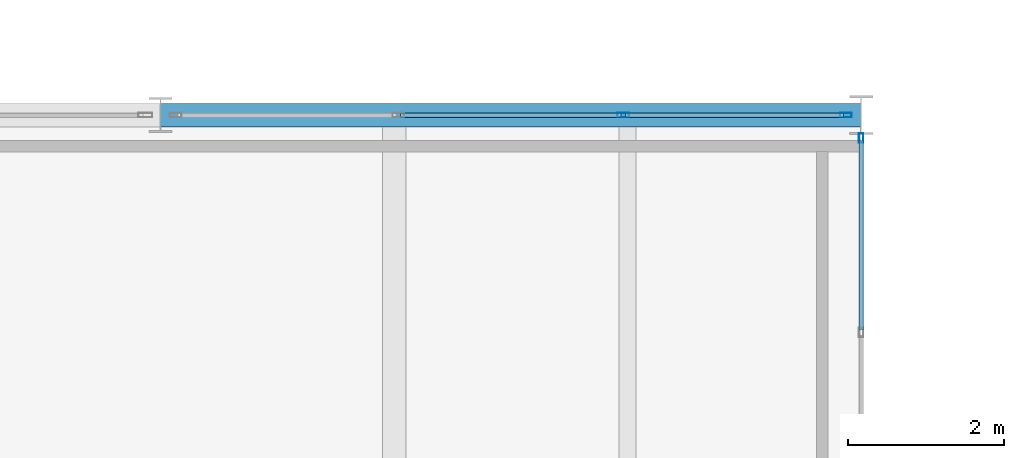
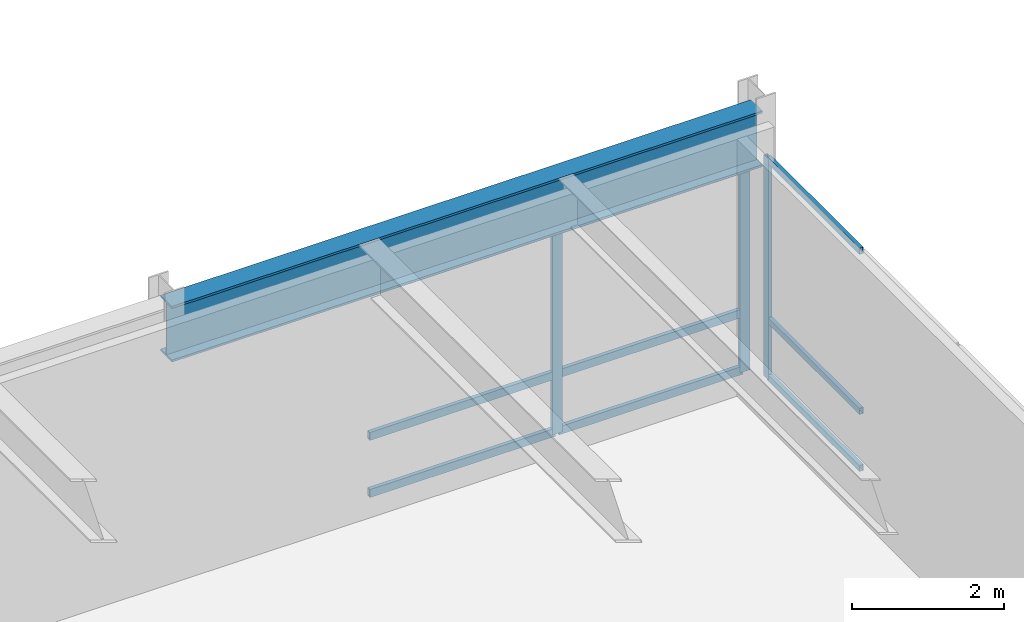
# One storey, part 49 of 115: 12 members, 1 beam, 2 elements without a shape of their own.
"""IFC4 building model written with IfcOpenShell, lengths in metres."""

from ifc_helpers import new_model, si_unit, direction, frame, origin, origin_2d, place, context, subcontext, project, spatial, hollow_rectangle, i_section, extrude, material, layer, layer_set, material_profile, profile_set, type_object, element, aggregate, save


model = new_model("IFC4")

# Units and contexts
model_context = context("Model", 3, precision=1e-05, world=origin(), true_north=direction((0.0, 1.0)))
body_context = subcontext(model_context, "Body", "Model", "MODEL_VIEW")
ifc_project = project(units=[si_unit("LENGTHUNIT", "METRE"), si_unit("AREAUNIT", "SQUARE_METRE"), si_unit("VOLUMEUNIT", "CUBIC_METRE"), si_unit("PLANEANGLEUNIT", "RADIAN"), si_unit("MASSUNIT", "GRAM", prefix="KILO")], contexts=[model_context])

# Site, building, storey
site_placement = place(None, origin())
site = spatial("IfcSite", under=ifc_project, at=site_placement, CompositionType="ELEMENT")
building_placement = place(site_placement, origin())
building = spatial("IfcBuilding", under=site, at=building_placement, Name="Montelvaro Courts of Justice", CompositionType="ELEMENT")
storey_placement = place(building_placement, frame((0.0, 0.0, 9.89990234375)))
storey = spatial("IfcBuildingStorey", under=building, at=storey_placement, Name="L02", CompositionType="ELEMENT", Elevation=9.89990234375)

# Beam
ifc_material_1 = material(Name="Steel S355", Category="steel")
ifc_material_profile_1 = material_profile(ifc_material_1, i_section(OverallWidth=0.300048828125, OverallDepth=0.89990234375, WebThickness=0.0185546875, FlangeThickness=0.034912109375, at=origin_2d()), Name="HEB 900")
ifc_profile_set_1 = profile_set([ifc_material_profile_1], Name="Steel S355")
beam_type = type_object("IfcBeamType", Name="Beam_HEB900", PredefinedType="USERDEFINED", material=ifc_profile_set_1)
beam_placement = place(storey_placement, frame((135.0, 42.0, 3.75), z_axis=(1.0, 0.0, 0.0), x_axis=(0.0, 1.0, 0.0)))
element("IfcBeam", 1, at=beam_placement, inside=storey, type_object=beam_type, Name="Beam B-30 L02", ObjectType="GIRDER", PredefinedType="USERDEFINED", context=body_context, shape_type="SweptSolid", body=[
    extrude(i_section(OverallWidth=0.300048828125, OverallDepth=0.89990234375, WebThickness=0.0185546875, FlangeThickness=0.034912109375, at=origin_2d()), origin(), (0.0, 0.0, 1.0), 9.0),
])

# Curtain wall, member
ifc_material_2 = material(Name="Anodised aluminium EN AW-6063", Category="aluminium")
ifc_layer_1 = layer(ifc_material_2, 0.159912109375)
ifc_layer_set_1 = layer_set([ifc_layer_1], Name="Anodised aluminium EN AW-6063")
curtain_wall_type_1 = type_object("IfcCurtainWallType", Name="CurtainWall_29_1770x418", PredefinedType="USERDEFINED", material=ifc_layer_set_1)
curtain_wall_1_placement = place(storey_placement, origin())
curtain_wall_1 = element("IfcCurtainWall", 2, at=curtain_wall_1_placement, inside=storey, type_object=curtain_wall_type_1, Name="Curtain Wall CW-29 (L02)", ObjectType="CURTAIN WALL", PredefinedType="USERDEFINED")
ifc_material_profile_2 = material_profile(ifc_material_2, hollow_rectangle(XDim=0.06005859375, YDim=0.1201171875, WallThickness=0.00341796875, at=origin_2d()), Name="ALU-M 60x120")
ifc_profile_set_2 = profile_set([ifc_material_profile_2], Name="Anodised aluminium EN AW-6063")
member_type_1 = type_object("IfcMemberType", Name="CurtainWall_Mullion_60x120", PredefinedType="MULLION", material=ifc_profile_set_2)
member_1_placement = place(storey_placement, frame((144.0, 41.705078125, 0.0), z_axis=(0.0, 0.0, 1.0), x_axis=(-1.0, 0.0, 0.0)))
member_1 = element("IfcMember", 3, at=member_1_placement, type_object=member_type_1, Name="CW-29 mullion 8", PredefinedType="MULLION", context=body_context, shape_type="SweptSolid", body=[
    extrude(hollow_rectangle(XDim=0.06005859375, YDim=0.1201171875, WallThickness=0.00341796875, at=origin_2d()), origin(), (0.0, 0.0, 1.0), 3.56005859375),
])

# Curtain wall, members
ifc_layer_2 = layer(ifc_material_2, 0.159912109375)
ifc_layer_set_2 = layer_set([ifc_layer_2], Name="Anodised aluminium EN AW-6063")
curtain_wall_type_2 = type_object("IfcCurtainWallType", Name="CurtainWall_14_867x418", PredefinedType="USERDEFINED", material=ifc_layer_set_2)
curtain_wall_2_placement = place(storey_placement, origin())
curtain_wall_2 = element("IfcCurtainWall", 4, at=curtain_wall_2_placement, inside=storey, type_object=curtain_wall_type_2, Name="Curtain Wall CW-14 (L02)", ObjectType="CURTAIN WALL", PredefinedType="USERDEFINED")
ifc_material_profile_3 = material_profile(ifc_material_2, hollow_rectangle(XDim=0.06005859375, YDim=0.14990234375, WallThickness=0.00390625, at=origin_2d()), Name="ALU-M 60x150")
ifc_profile_set_3 = profile_set([ifc_material_profile_3], Name="Anodised aluminium EN AW-6063")
member_type_2 = type_object("IfcMemberType", Name="CurtainWall_Mullion_60x150", PredefinedType="MULLION", material=ifc_profile_set_3)
member_2_placement = place(storey_placement, frame((143.804931640625, 42.0, 0.0), z_axis=(0.0, 0.0, 1.0), x_axis=(0.0, -1.0, 0.0)))
member_2 = element("IfcMember", 5, at=member_2_placement, type_object=member_type_2, Name="CW-14 mullion 1", PredefinedType="MULLION", context=body_context, shape_type="SweptSolid", body=[
    extrude(hollow_rectangle(XDim=0.06005859375, YDim=0.14990234375, WallThickness=0.00390625, at=origin_2d()), origin(), (0.0, 0.0, 1.0), 3.295166015625),
])
member_3_placement = place(storey_placement, frame((140.945068359375, 42.0, 0.0), z_axis=(0.0, 0.0, 1.0), x_axis=(0.0, -1.0, 0.0)))
member_3 = element("IfcMember", 6, at=member_3_placement, type_object=member_type_2, Name="CW-14 mullion 2", PredefinedType="MULLION", context=body_context, shape_type="SweptSolid", body=[
    extrude(hollow_rectangle(XDim=0.06005859375, YDim=0.14990234375, WallThickness=0.00390625, at=origin_2d()), origin(), (0.0, 0.0, 1.0), 3.295166015625),
])

# Member
ifc_material_profile_4 = material_profile(ifc_material_2, hollow_rectangle(XDim=0.06005859375, YDim=0.10009765625, WallThickness=0.00341796875, at=origin_2d()), Name="ALU-T 60x100")
ifc_profile_set_4 = profile_set([ifc_material_profile_4], Name="Anodised aluminium EN AW-6063")
member_type_3 = type_object("IfcMemberType", Name="CurtainWall_Transom_60x100", PredefinedType="USERDEFINED", material=ifc_profile_set_4)
member_4_placement = place(storey_placement, frame((144.0, 39.237060546875, 0.030029296875), z_axis=(0.0, 1.0, 0.0), x_axis=(-1.0, 0.0, 0.0)))
member_4 = element("IfcMember", 7, at=member_4_placement, type_object=member_type_3, Name="CW-29 transom 7.1", ObjectType="TRANSOM", PredefinedType="USERDEFINED", context=body_context, shape_type="SweptSolid", body=[
    extrude(hollow_rectangle(XDim=0.06005859375, YDim=0.10009765625, WallThickness=0.00341796875, at=origin_2d()), origin(), (0.0, 0.0, 1.0), 2.43798828125),
])

member_5_placement = place(storey_placement, frame((144.0, 39.237060546875, 0.9501953125), z_axis=(0.0, 1.0, 0.0), x_axis=(-1.0, 0.0, 0.0)))
member_5 = element("IfcMember", 8, at=member_5_placement, type_object=member_type_3, Name="CW-29 transom 7.2", ObjectType="TRANSOM", PredefinedType="USERDEFINED", context=body_context, shape_type="SweptSolid", body=[
    extrude(hollow_rectangle(XDim=0.06005859375, YDim=0.10009765625, WallThickness=0.00341796875, at=origin_2d()), origin(), (0.0, 0.0, 1.0), 2.43798828125),
])

member_6_placement = place(storey_placement, frame((144.0, 39.237060546875, 3.530029296875), z_axis=(0.0, 1.0, 0.0), x_axis=(-1.0, 0.0, 0.0)))
member_6 = element("IfcMember", 9, at=member_6_placement, type_object=member_type_3, Name="CW-29 transom 7.3", ObjectType="TRANSOM", PredefinedType="USERDEFINED", context=body_context, shape_type="SweptSolid", body=[
    extrude(hollow_rectangle(XDim=0.06005859375, YDim=0.10009765625, WallThickness=0.00341796875, at=origin_2d()), origin(), (0.0, 0.0, 1.0), 2.43798828125),
])

aggregate(curtain_wall_1, [member_1, member_4, member_5, member_6])

ifc_material_profile_5 = material_profile(ifc_material_2, hollow_rectangle(XDim=0.06005859375, YDim=0.1298828125, WallThickness=0.00390625, at=origin_2d()), Name="ALU-T 60x130")
ifc_profile_set_5 = profile_set([ifc_material_profile_5], Name="Anodised aluminium EN AW-6063")
member_type_4 = type_object("IfcMemberType", Name="CurtainWall_Transom_60x130", PredefinedType="USERDEFINED", material=ifc_profile_set_5)
member_7_placement = place(storey_placement, frame((143.77490234375, 42.0, 0.030029296875), z_axis=(-1.0, 0.0, 0.0), x_axis=(0.0, -1.0, 0.0)))
member_7 = element("IfcMember", 10, at=member_7_placement, type_object=member_type_4, Name="CW-14 transom 1.1", ObjectType="TRANSOM", PredefinedType="USERDEFINED", context=body_context, shape_type="SweptSolid", body=[
    extrude(hollow_rectangle(XDim=0.06005859375, YDim=0.1298828125, WallThickness=0.00390625, at=origin_2d()), origin(), (0.0, 0.0, 1.0), 2.7998046875),
])

member_8_placement = place(storey_placement, frame((143.77490234375, 42.0, 0.9501953125), z_axis=(-1.0, 0.0, 0.0), x_axis=(0.0, -1.0, 0.0)))
member_8 = element("IfcMember", 11, at=member_8_placement, type_object=member_type_4, Name="CW-14 transom 1.2", ObjectType="TRANSOM", PredefinedType="USERDEFINED", context=body_context, shape_type="SweptSolid", body=[
    extrude(hollow_rectangle(XDim=0.06005859375, YDim=0.1298828125, WallThickness=0.00390625, at=origin_2d()), origin(), (0.0, 0.0, 1.0), 2.7998046875),
])

member_9_placement = place(storey_placement, frame((143.77490234375, 42.0, 3.26513671875), z_axis=(-1.0, 0.0, 0.0), x_axis=(0.0, -1.0, 0.0)))
member_9 = element("IfcMember", 12, at=member_9_placement, type_object=member_type_4, Name="CW-14 transom 1.3", ObjectType="TRANSOM", PredefinedType="USERDEFINED", context=body_context, shape_type="SweptSolid", body=[
    extrude(hollow_rectangle(XDim=0.06005859375, YDim=0.1298828125, WallThickness=0.00390625, at=origin_2d()), origin(), (0.0, 0.0, 1.0), 2.7998046875),
])

member_10_placement = place(storey_placement, frame((140.9150390625, 42.0, 0.030029296875), z_axis=(-1.0, 0.0, 0.0), x_axis=(0.0, -1.0, 0.0)))
member_10 = element("IfcMember", 13, at=member_10_placement, type_object=member_type_4, Name="CW-14 transom 2.1", ObjectType="TRANSOM", PredefinedType="USERDEFINED", context=body_context, shape_type="SweptSolid", body=[
    extrude(hollow_rectangle(XDim=0.06005859375, YDim=0.1298828125, WallThickness=0.00390625, at=origin_2d()), origin(), (0.0, 0.0, 1.0), 2.830078125),
])

member_11_placement = place(storey_placement, frame((140.9150390625, 42.0, 0.9501953125), z_axis=(-1.0, 0.0, 0.0), x_axis=(0.0, -1.0, 0.0)))
member_11 = element("IfcMember", 14, at=member_11_placement, type_object=member_type_4, Name="CW-14 transom 2.2", ObjectType="TRANSOM", PredefinedType="USERDEFINED", context=body_context, shape_type="SweptSolid", body=[
    extrude(hollow_rectangle(XDim=0.06005859375, YDim=0.1298828125, WallThickness=0.00390625, at=origin_2d()), origin(), (0.0, 0.0, 1.0), 2.830078125),
])

member_12_placement = place(storey_placement, frame((140.9150390625, 42.0, 3.26513671875), z_axis=(-1.0, 0.0, 0.0), x_axis=(0.0, -1.0, 0.0)))
member_12 = element("IfcMember", 15, at=member_12_placement, type_object=member_type_4, Name="CW-14 transom 2.3", ObjectType="TRANSOM", PredefinedType="USERDEFINED", context=body_context, shape_type="SweptSolid", body=[
    extrude(hollow_rectangle(XDim=0.06005859375, YDim=0.1298828125, WallThickness=0.00390625, at=origin_2d()), origin(), (0.0, 0.0, 1.0), 2.830078125),
])

aggregate(curtain_wall_2, [member_2, member_3, member_7, member_8, member_9, member_10, member_11, member_12])

save(model, "model.ifc")
